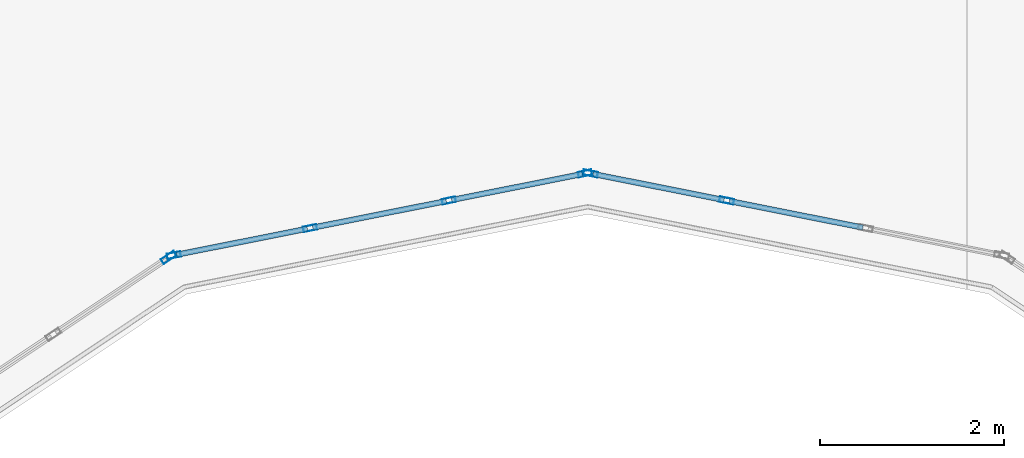
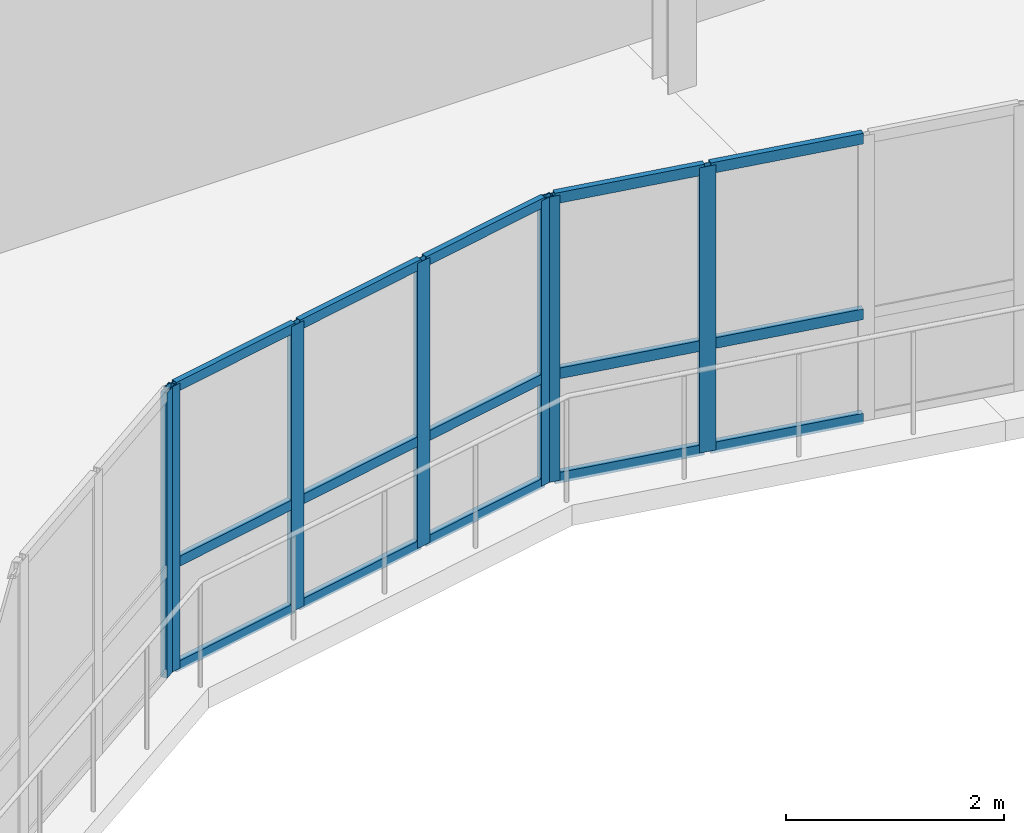
# One storey, part 23 of 91: 22 members, 3 elements without a shape of their own.
"""IFC4 building model written with IfcOpenShell, lengths in metres."""

from ifc_helpers import new_model, si_unit, direction, frame, origin, origin_2d, place, context, subcontext, project, spatial, hollow_rectangle, extrude, material, layer, layer_set, material_profile, profile_set, type_object, element, aggregate, save


model = new_model("IFC4")

# Units and contexts
model_context = context("Model", 3, precision=1e-05, world=origin(), true_north=direction((0.0, 1.0)))
body_context = subcontext(model_context, "Body", "Model", "MODEL_VIEW")
ifc_project = project(units=[si_unit("LENGTHUNIT", "METRE"), si_unit("AREAUNIT", "SQUARE_METRE"), si_unit("VOLUMEUNIT", "CUBIC_METRE"), si_unit("PLANEANGLEUNIT", "RADIAN"), si_unit("MASSUNIT", "GRAM", prefix="KILO"), si_unit("THERMODYNAMICTEMPERATUREUNIT", "KELVIN")], contexts=[model_context])

# Site, building, storey
site_placement = place(None, origin())
site = spatial("IfcSite", under=ifc_project, at=site_placement, CompositionType="ELEMENT")
building_placement = place(site_placement, origin())
building = spatial("IfcBuilding", under=site, at=building_placement, Name="Lustrewick Department Store", CompositionType="ELEMENT")
storey_placement = place(building_placement, frame((0.0, 0.0, 21.60009765625)))
storey = spatial("IfcBuildingStorey", under=building, at=storey_placement, Name="L05", CompositionType="ELEMENT", Elevation=21.60009765625)

# Curtain wall, member
ifc_material = material(Name="Thermally broken aluminium 6063-T5", Category="aluminium")
ifc_layer_1 = layer(ifc_material, 0.169921875, Name="Thermally broken aluminium 6063-T5")
ifc_layer_set_1 = layer_set([ifc_layer_1], Name="Thermally broken aluminium 6063-T5")
curtain_wall_type_1 = type_object("IfcCurtainWallType", Name="CW16", PredefinedType="NOTDEFINED", material=ifc_layer_set_1)
curtain_wall_1_placement = place(storey_placement, origin())
curtain_wall_1 = element("IfcCurtainWall", 1, at=curtain_wall_1_placement, inside=storey, type_object=curtain_wall_type_1, Name="L05 Atrium Glazed Screen CW16", PredefinedType="NOTDEFINED")
ifc_material_profile_1 = material_profile(ifc_material, hollow_rectangle(XDim=0.06494140625, YDim=0.169921875, WallThickness=0.00390625, at=origin_2d()), Name="ALU-M 65x170x4")
ifc_profile_set_1 = profile_set([ifc_material_profile_1], Name="Thermally broken aluminium 6063-T5")
member_type_1 = type_object("IfcMemberType", Name="CW16-M1", PredefinedType="MULLION", material=ifc_profile_set_1)
member_1_placement = place(storey_placement, frame((24.838134765625, 78.1298828125, 0.0), z_axis=(0.0, 0.0, 1.0), x_axis=(0.555578313862, -0.831464212799, 0.0)))
member_1 = element("IfcMember", 2, at=member_1_placement, type_object=member_type_1, Name="CW16 mullion 1", PredefinedType="MULLION", context=body_context, shape_type="SweptSolid", body=[
    extrude(hollow_rectangle(XDim=0.06494140625, YDim=0.169921875, WallThickness=0.00390625, at=origin_2d()), origin(), (0.0, 0.0, 1.0), 3.199951171875),
])
aggregate(curtain_wall_1, [member_1])

# Curtain wall, members
ifc_layer_2 = layer(ifc_material, 0.159912109375, Name="Thermally broken aluminium 6063-T5")
ifc_layer_set_2 = layer_set([ifc_layer_2], Name="Thermally broken aluminium 6063-T5")
curtain_wall_type_2 = type_object("IfcCurtainWallType", Name="CW17", PredefinedType="NOTDEFINED", material=ifc_layer_set_2)
curtain_wall_2_placement = place(storey_placement, origin())
curtain_wall_2 = element("IfcCurtainWall", 3, at=curtain_wall_2_placement, inside=storey, type_object=curtain_wall_type_2, Name="L05 Atrium Glazed Screen CW17", PredefinedType="NOTDEFINED")
ifc_material_profile_2 = material_profile(ifc_material, hollow_rectangle(XDim=0.06005859375, YDim=0.159912109375, WallThickness=0.00390625, at=origin_2d()), Name="ALU-M 60x160x4")
ifc_profile_set_2 = profile_set([ifc_material_profile_2], Name="Thermally broken aluminium 6063-T5")
member_type_2 = type_object("IfcMemberType", Name="CW17-M1", PredefinedType="MULLION", material=ifc_profile_set_2)
member_2_placement = place(storey_placement, frame((30.91162109375, 78.749267578125, 0.0), z_axis=(0.0, 0.0, 1.0), x_axis=(-0.195084537521, -0.980786430993, 0.0)))
member_2 = element("IfcMember", 4, at=member_2_placement, type_object=member_type_2, Name="CW17 mullion 3", PredefinedType="MULLION", context=body_context, shape_type="SweptSolid", body=[
    extrude(hollow_rectangle(XDim=0.06005859375, YDim=0.159912109375, WallThickness=0.00390625, at=origin_2d()), origin(), (0.0, 0.0, 1.0), 3.199951171875),
])
member_3_placement = place(storey_placement, frame((29.429443359375, 79.044189453125, 0.0), z_axis=(0.0, 0.0, 1.0), x_axis=(-0.195084537521, -0.980786430993, 0.0)))
member_3 = element("IfcMember", 5, at=member_3_placement, type_object=member_type_2, Name="CW17 mullion 4", PredefinedType="MULLION", context=body_context, shape_type="SweptSolid", body=[
    extrude(hollow_rectangle(XDim=0.06005859375, YDim=0.159912109375, WallThickness=0.00390625, at=origin_2d()), origin(), (0.0, 0.0, 1.0), 3.199951171875),
])
ifc_material_profile_3 = material_profile(ifc_material, hollow_rectangle(XDim=0.06005859375, YDim=0.1201171875, WallThickness=0.00341796875, at=origin_2d()), Name="ALU-T 60x120x3.5")
ifc_profile_set_3 = profile_set([ifc_material_profile_3], Name="Thermally broken aluminium 6063-T5")
member_type_3 = type_object("IfcMemberType", Name="CW17-T1", PredefinedType="USERDEFINED", material=ifc_profile_set_3)
member_4_placement = place(storey_placement, frame((32.393798828125, 78.45458984375, 0.02978515625), z_axis=(-0.980808215859, 0.194974982249, 0.0), x_axis=(-0.194974982249, -0.980808215859, 0.0)))
member_4 = element("IfcMember", 6, at=member_4_placement, type_object=member_type_3, Name="CW17 transom 2.1", ObjectType="TRANSOM", PredefinedType="USERDEFINED", context=body_context, shape_type="SweptSolid", body=[
    extrude(hollow_rectangle(XDim=0.06005859375, YDim=0.1201171875, WallThickness=0.00341796875, at=origin_2d()), origin(), (0.0, 0.0, 1.0), 1.481201171875),
])
member_5_placement = place(storey_placement, frame((32.393798828125, 78.45458984375, 1.199951171875), z_axis=(-0.980808215859, 0.194974982249, 0.0), x_axis=(-0.194974982249, -0.980808215859, 0.0)))
member_5 = element("IfcMember", 7, at=member_5_placement, type_object=member_type_3, Name="CW17 transom 2.2", ObjectType="TRANSOM", PredefinedType="USERDEFINED", context=body_context, shape_type="SweptSolid", body=[
    extrude(hollow_rectangle(XDim=0.06005859375, YDim=0.1201171875, WallThickness=0.00341796875, at=origin_2d()), origin(), (0.0, 0.0, 1.0), 1.481201171875),
])
member_6_placement = place(storey_placement, frame((32.393798828125, 78.45458984375, 3.169921875), z_axis=(-0.980808215859, 0.194974982249, 0.0), x_axis=(-0.194974982249, -0.980808215859, 0.0)))
member_6 = element("IfcMember", 8, at=member_6_placement, type_object=member_type_3, Name="CW17 transom 2.3", ObjectType="TRANSOM", PredefinedType="USERDEFINED", context=body_context, shape_type="SweptSolid", body=[
    extrude(hollow_rectangle(XDim=0.06005859375, YDim=0.1201171875, WallThickness=0.00341796875, at=origin_2d()), origin(), (0.0, 0.0, 1.0), 1.481201171875),
])
member_7_placement = place(storey_placement, frame((30.882080078125, 78.755126953125, 0.02978515625), z_axis=(-0.980774305612, 0.195145487909, 0.0), x_axis=(-0.195145487909, -0.980774305612, 0.0)))
member_7 = element("IfcMember", 9, at=member_7_placement, type_object=member_type_3, Name="CW17 transom 3.1", ObjectType="TRANSOM", PredefinedType="USERDEFINED", context=body_context, shape_type="SweptSolid", body=[
    extrude(hollow_rectangle(XDim=0.06005859375, YDim=0.1201171875, WallThickness=0.00341796875, at=origin_2d()), origin(), (0.0, 0.0, 1.0), 1.451171875),
])
member_8_placement = place(storey_placement, frame((30.882080078125, 78.755126953125, 1.199951171875), z_axis=(-0.980774305612, 0.195145487909, 0.0), x_axis=(-0.195145487909, -0.980774305612, 0.0)))
member_8 = element("IfcMember", 10, at=member_8_placement, type_object=member_type_3, Name="CW17 transom 3.2", ObjectType="TRANSOM", PredefinedType="USERDEFINED", context=body_context, shape_type="SweptSolid", body=[
    extrude(hollow_rectangle(XDim=0.06005859375, YDim=0.1201171875, WallThickness=0.00341796875, at=origin_2d()), origin(), (0.0, 0.0, 1.0), 1.451171875),
])
member_9_placement = place(storey_placement, frame((30.882080078125, 78.755126953125, 3.169921875), z_axis=(-0.980774305612, 0.195145487909, 0.0), x_axis=(-0.195145487909, -0.980774305612, 0.0)))
member_9 = element("IfcMember", 11, at=member_9_placement, type_object=member_type_3, Name="CW17 transom 3.3", ObjectType="TRANSOM", PredefinedType="USERDEFINED", context=body_context, shape_type="SweptSolid", body=[
    extrude(hollow_rectangle(XDim=0.06005859375, YDim=0.1201171875, WallThickness=0.00341796875, at=origin_2d()), origin(), (0.0, 0.0, 1.0), 1.451171875),
])
aggregate(curtain_wall_2, [member_2, member_3, member_4, member_5, member_6, member_7, member_8, member_9])

ifc_layer_3 = layer(ifc_material, 0.14990234375, Name="Thermally broken aluminium 6063-T5")
ifc_layer_set_3 = layer_set([ifc_layer_3], Name="Thermally broken aluminium 6063-T5")
curtain_wall_type_3 = type_object("IfcCurtainWallType", Name="CW18", PredefinedType="NOTDEFINED", material=ifc_layer_set_3)
curtain_wall_3_placement = place(storey_placement, origin())
curtain_wall_3 = element("IfcCurtainWall", 12, at=curtain_wall_3_placement, inside=storey, type_object=curtain_wall_type_3, Name="L05 Atrium Glazed Screen CW18", PredefinedType="NOTDEFINED")
ifc_material_profile_4 = material_profile(ifc_material, hollow_rectangle(XDim=0.06005859375, YDim=0.14990234375, WallThickness=0.00341796875, at=origin_2d()), Name="ALU-M 60x150x3.5")
ifc_profile_set_4 = profile_set([ifc_material_profile_4], Name="Thermally broken aluminium 6063-T5")
member_type_4 = type_object("IfcMemberType", Name="CW18-M1", PredefinedType="MULLION", material=ifc_profile_set_4)
member_10_placement = place(storey_placement, frame((29.37060546875, 79.044189453125, 0.0), z_axis=(0.0, 0.0, 1.0), x_axis=(0.195084537521, -0.980786430993, 0.0)))
member_10 = element("IfcMember", 13, at=member_10_placement, type_object=member_type_4, Name="CW18 mullion 1", PredefinedType="MULLION", context=body_context, shape_type="SweptSolid", body=[
    extrude(hollow_rectangle(XDim=0.06005859375, YDim=0.14990234375, WallThickness=0.00341796875, at=origin_2d()), origin(), (0.0, 0.0, 1.0), 3.199951171875),
])
member_11_placement = place(storey_placement, frame((27.888427734375, 78.749267578125, 0.0), z_axis=(0.0, 0.0, 1.0), x_axis=(0.195084537521, -0.980786430993, 0.0)))
member_11 = element("IfcMember", 14, at=member_11_placement, type_object=member_type_4, Name="CW18 mullion 2", PredefinedType="MULLION", context=body_context, shape_type="SweptSolid", body=[
    extrude(hollow_rectangle(XDim=0.06005859375, YDim=0.14990234375, WallThickness=0.00341796875, at=origin_2d()), origin(), (0.0, 0.0, 1.0), 3.199951171875),
])
member_12_placement = place(storey_placement, frame((26.376708984375, 78.44873046875, 0.0), z_axis=(0.0, 0.0, 1.0), x_axis=(0.195084537521, -0.980786430993, 0.0)))
member_12 = element("IfcMember", 15, at=member_12_placement, type_object=member_type_4, Name="CW18 mullion 3", PredefinedType="MULLION", context=body_context, shape_type="SweptSolid", body=[
    extrude(hollow_rectangle(XDim=0.06005859375, YDim=0.14990234375, WallThickness=0.00341796875, at=origin_2d()), origin(), (0.0, 0.0, 1.0), 3.199951171875),
])
member_13_placement = place(storey_placement, frame((24.89453125, 78.15380859375, 0.0), z_axis=(0.0, 0.0, 1.0), x_axis=(0.195084537521, -0.980786430993, 0.0)))
member_13 = element("IfcMember", 16, at=member_13_placement, type_object=member_type_4, Name="CW18 mullion 4", PredefinedType="MULLION", context=body_context, shape_type="SweptSolid", body=[
    extrude(hollow_rectangle(XDim=0.06005859375, YDim=0.14990234375, WallThickness=0.00341796875, at=origin_2d()), origin(), (0.0, 0.0, 1.0), 3.199951171875),
])
ifc_material_profile_5 = material_profile(ifc_material, hollow_rectangle(XDim=0.06005859375, YDim=0.110107421875, WallThickness=0.0029296875, at=origin_2d()), Name="ALU-T 60x110x3")
ifc_profile_set_5 = profile_set([ifc_material_profile_5], Name="Thermally broken aluminium 6063-T5")
member_type_5 = type_object("IfcMemberType", Name="CW18-T1", PredefinedType="USERDEFINED", material=ifc_profile_set_5)
member_14_placement = place(storey_placement, frame((29.341064453125, 79.038330078125, 0.02978515625), z_axis=(-0.980774305612, -0.195145487909, 0.0), x_axis=(0.195145487909, -0.980774305612, 0.0)))
member_14 = element("IfcMember", 17, at=member_14_placement, type_object=member_type_5, Name="CW18 transom 1.1", ObjectType="TRANSOM", PredefinedType="USERDEFINED", context=body_context, shape_type="SweptSolid", body=[
    extrude(hollow_rectangle(XDim=0.06005859375, YDim=0.110107421875, WallThickness=0.0029296875, at=origin_2d()), origin(), (0.0, 0.0, 1.0), 1.451171875),
])
member_15_placement = place(storey_placement, frame((29.341064453125, 79.038330078125, 1.199951171875), z_axis=(-0.980774305612, -0.195145487909, 0.0), x_axis=(0.195145487909, -0.980774305612, 0.0)))
member_15 = element("IfcMember", 18, at=member_15_placement, type_object=member_type_5, Name="CW18 transom 1.2", ObjectType="TRANSOM", PredefinedType="USERDEFINED", context=body_context, shape_type="SweptSolid", body=[
    extrude(hollow_rectangle(XDim=0.06005859375, YDim=0.110107421875, WallThickness=0.0029296875, at=origin_2d()), origin(), (0.0, 0.0, 1.0), 1.451171875),
])
member_16_placement = place(storey_placement, frame((29.341064453125, 79.038330078125, 3.169921875), z_axis=(-0.980774305612, -0.195145487909, 0.0), x_axis=(0.195145487909, -0.980774305612, 0.0)))
member_16 = element("IfcMember", 19, at=member_16_placement, type_object=member_type_5, Name="CW18 transom 1.3", ObjectType="TRANSOM", PredefinedType="USERDEFINED", context=body_context, shape_type="SweptSolid", body=[
    extrude(hollow_rectangle(XDim=0.06005859375, YDim=0.110107421875, WallThickness=0.0029296875, at=origin_2d()), origin(), (0.0, 0.0, 1.0), 1.451171875),
])
member_17_placement = place(storey_placement, frame((27.85888671875, 78.743408203125, 0.02978515625), z_axis=(-0.980801948895, -0.195006505133, 0.0), x_axis=(0.195006505133, -0.980801948895, 0.0)))
member_17 = element("IfcMember", 20, at=member_17_placement, type_object=member_type_5, Name="CW18 transom 2.1", ObjectType="TRANSOM", PredefinedType="USERDEFINED", context=body_context, shape_type="SweptSolid", body=[
    extrude(hollow_rectangle(XDim=0.06005859375, YDim=0.110107421875, WallThickness=0.0029296875, at=origin_2d()), origin(), (0.0, 0.0, 1.0), 1.48095703125),
])
member_18_placement = place(storey_placement, frame((27.85888671875, 78.743408203125, 1.199951171875), z_axis=(-0.980801948895, -0.195006505133, 0.0), x_axis=(0.195006505133, -0.980801948895, 0.0)))
member_18 = element("IfcMember", 21, at=member_18_placement, type_object=member_type_5, Name="CW18 transom 2.2", ObjectType="TRANSOM", PredefinedType="USERDEFINED", context=body_context, shape_type="SweptSolid", body=[
    extrude(hollow_rectangle(XDim=0.06005859375, YDim=0.110107421875, WallThickness=0.0029296875, at=origin_2d()), origin(), (0.0, 0.0, 1.0), 1.48095703125),
])
member_19_placement = place(storey_placement, frame((27.85888671875, 78.743408203125, 3.169921875), z_axis=(-0.980801948895, -0.195006505133, 0.0), x_axis=(0.195006505133, -0.980801948895, 0.0)))
member_19 = element("IfcMember", 22, at=member_19_placement, type_object=member_type_5, Name="CW18 transom 2.3", ObjectType="TRANSOM", PredefinedType="USERDEFINED", context=body_context, shape_type="SweptSolid", body=[
    extrude(hollow_rectangle(XDim=0.06005859375, YDim=0.110107421875, WallThickness=0.0029296875, at=origin_2d()), origin(), (0.0, 0.0, 1.0), 1.48095703125),
])
member_20_placement = place(storey_placement, frame((26.347412109375, 78.44287109375, 0.02978515625), z_axis=(-0.980774305612, -0.195145487909, 0.0), x_axis=(0.195145487909, -0.980774305612, 0.0)))
member_20 = element("IfcMember", 23, at=member_20_placement, type_object=member_type_5, Name="CW18 transom 3.1", ObjectType="TRANSOM", PredefinedType="USERDEFINED", context=body_context, shape_type="SweptSolid", body=[
    extrude(hollow_rectangle(XDim=0.06005859375, YDim=0.110107421875, WallThickness=0.0029296875, at=origin_2d()), origin(), (0.0, 0.0, 1.0), 1.451171875),
])
member_21_placement = place(storey_placement, frame((26.347412109375, 78.44287109375, 1.199951171875), z_axis=(-0.980774305612, -0.195145487909, 0.0), x_axis=(0.195145487909, -0.980774305612, 0.0)))
member_21 = element("IfcMember", 24, at=member_21_placement, type_object=member_type_5, Name="CW18 transom 3.2", ObjectType="TRANSOM", PredefinedType="USERDEFINED", context=body_context, shape_type="SweptSolid", body=[
    extrude(hollow_rectangle(XDim=0.06005859375, YDim=0.110107421875, WallThickness=0.0029296875, at=origin_2d()), origin(), (0.0, 0.0, 1.0), 1.451171875),
])
member_22_placement = place(storey_placement, frame((26.347412109375, 78.44287109375, 3.169921875), z_axis=(-0.980774305612, -0.195145487909, 0.0), x_axis=(0.195145487909, -0.980774305612, 0.0)))
member_22 = element("IfcMember", 25, at=member_22_placement, type_object=member_type_5, Name="CW18 transom 3.3", ObjectType="TRANSOM", PredefinedType="USERDEFINED", context=body_context, shape_type="SweptSolid", body=[
    extrude(hollow_rectangle(XDim=0.06005859375, YDim=0.110107421875, WallThickness=0.0029296875, at=origin_2d()), origin(), (0.0, 0.0, 1.0), 1.451171875),
])
aggregate(curtain_wall_3, [member_10, member_11, member_12, member_13, member_14, member_15, member_16, member_17, member_18, member_19, member_20, member_21, member_22])

save(model, "model.ifc")
